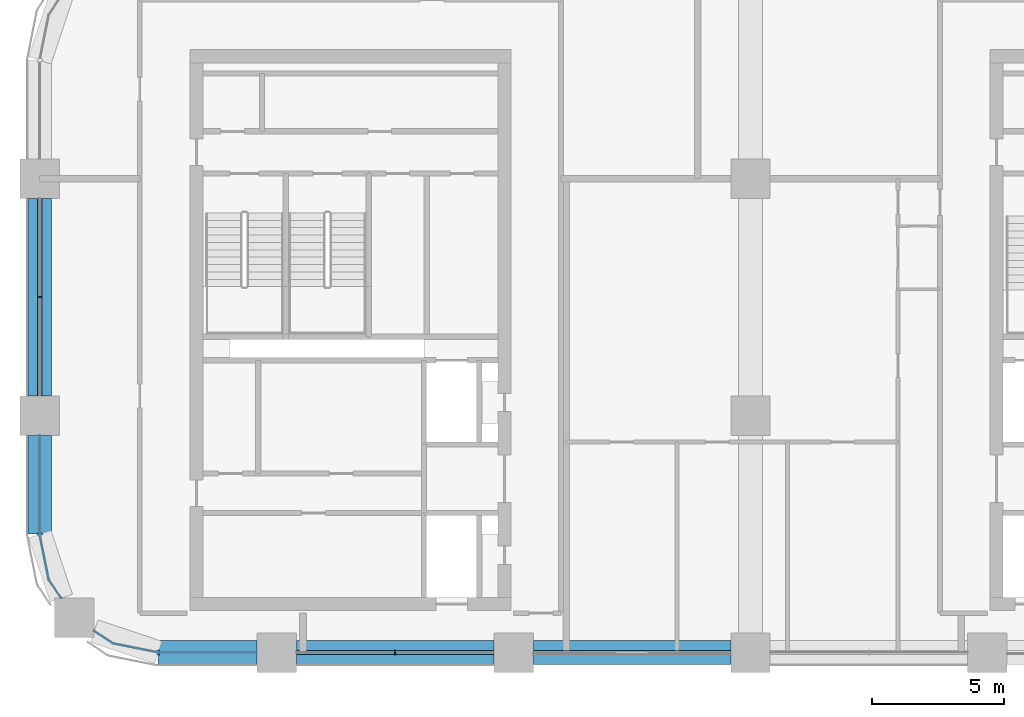
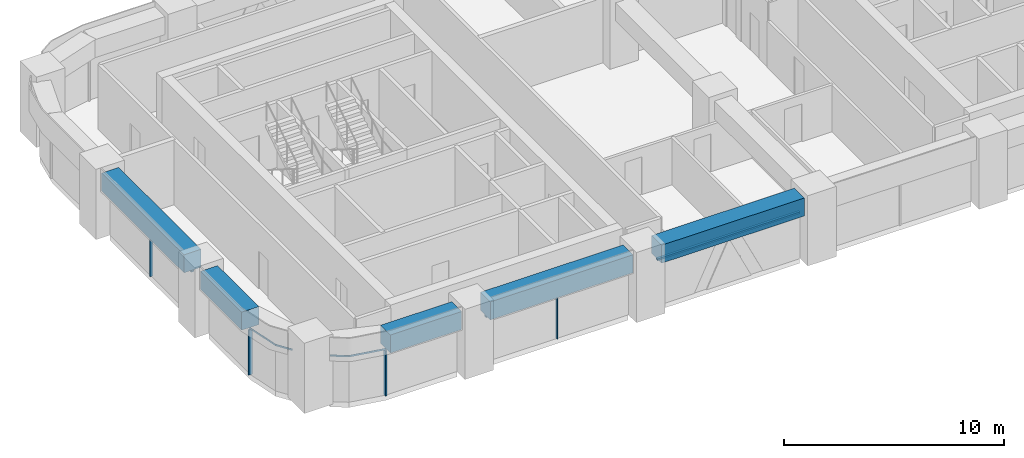
# One storey, part 2 of 19: 9 members, 5 beams, 5 elements without a shape of their own.
"""IFC4 building model written with IfcOpenShell, lengths in metres."""

from ifc_helpers import new_model, si_unit, direction, frame, origin, origin_2d, place, context, subcontext, project, spatial, polyline, rectangle, outline, extrude, material, material_profile, profile_set, type_object, element, aggregate, save


model = new_model("IFC4")

# Units and contexts
model_context = context("Model", 3, precision=1e-05, world=origin(), true_north=direction((0.0, 1.0)))
body_context = subcontext(model_context, "Body", "Model", "MODEL_VIEW")
ifc_project = project(units=[si_unit("LENGTHUNIT", "METRE"), si_unit("AREAUNIT", "SQUARE_METRE"), si_unit("VOLUMEUNIT", "CUBIC_METRE"), si_unit("PLANEANGLEUNIT", "RADIAN"), si_unit("MASSUNIT", "GRAM", prefix="KILO")], contexts=[model_context])

# Site, building, storey
site_placement = place(None, origin())
site = spatial("IfcSite", under=ifc_project, at=site_placement, CompositionType="ELEMENT")
building_placement = place(site_placement, origin())
building = spatial("IfcBuilding", under=site, at=building_placement, Name="Tessera Arch", CompositionType="ELEMENT")
storey_placement = place(building_placement, frame((0.0, 0.0, 170.0)))
storey = spatial("IfcBuildingStorey", under=building, at=storey_placement, Name="L40", CompositionType="ELEMENT", Elevation=170.0)

# Curtain wall, member
ifc_material_1 = material(Name="CW1 curtain wall")
curtain_wall_type_1 = type_object("IfcCurtainWallType", Name="CW1 curtain wall", PredefinedType="NOTDEFINED", material=ifc_material_1)
curtain_wall_1_placement = place(storey_placement, origin())
curtain_wall_1 = element("IfcCurtainWall", 1, at=curtain_wall_1_placement, inside=storey, type_object=curtain_wall_type_1, Name="CW1 curtain wall W0.27/1 L40", PredefinedType="NOTDEFINED")
ifc_material_2 = material(Name="Anodised aluminium pale metal", Category="aluminium")
ifc_material_profile_1 = material_profile(ifc_material_2, rectangle(XDim=0.159912109375, YDim=0.06005859375, at=origin_2d()), Name="AL 60x160")
ifc_profile_set_1 = profile_set([ifc_material_profile_1], Name="Anodised aluminium pale metal")
member_type_1 = type_object("IfcMemberType", Name="CW1 mullion", PredefinedType="MULLION", material=ifc_profile_set_1)
member_1_placement = place(storey_placement, frame((0.0, 40.5, 0.0), z_axis=(0.0, 0.0, 1.0), x_axis=(1.0, 0.0, 0.0)))
member_1 = element("IfcMember", 2, at=member_1_placement, type_object=member_type_1, Name="CW1 mullion W0.27/1 1", PredefinedType="MULLION", context=body_context, shape_type="SweptSolid", body=[
    extrude(rectangle(XDim=0.159912109375, YDim=0.06005859375, at=origin_2d()), origin(), (0.0, 0.0, 1.0), 2.5),
])

curtain_wall_2_placement = place(storey_placement, origin())
curtain_wall_2 = element("IfcCurtainWall", 3, at=curtain_wall_2_placement, inside=storey, type_object=curtain_wall_type_1, Name="CW1 curtain wall S27.0/1 L40", PredefinedType="NOTDEFINED")
member_2_placement = place(storey_placement, frame((13.5, 27.0, 0.0), z_axis=(0.0, 0.0, 1.0), x_axis=(0.0, 1.0, 0.0)))
member_2 = element("IfcMember", 4, at=member_2_placement, type_object=member_type_1, Name="CW1 mullion S27.0/1 1", PredefinedType="MULLION", context=body_context, shape_type="SweptSolid", body=[
    extrude(rectangle(XDim=0.159912109375, YDim=0.06005859375, at=origin_2d()), origin(), (0.0, 0.0, 1.0), 2.5),
])

# Member
ifc_material_3 = material(Name="Anodised aluminium pale metal", Category="aluminium")
ifc_material_profile_2 = material_profile(ifc_material_3, rectangle(XDim=0.159912109375, YDim=0.10009765625, at=origin_2d()), Name="AL 160x100")
ifc_profile_set_2 = profile_set([ifc_material_profile_2], Name="Anodised aluminium pale metal")
member_type_2 = type_object("IfcMemberType", Name="CW1 transom", PredefinedType="USERDEFINED", material=ifc_profile_set_2)
member_3_placement = place(storey_placement, frame((0.0, 44.25, 2.550048828125), z_axis=(0.0, -1.0, 0.0), x_axis=(1.0, 0.0, 0.0)))
member_3 = element("IfcMember", 5, at=member_3_placement, type_object=member_type_2, Name="CW1 transom W0.27/1 1.1", ObjectType="TRANSOM", PredefinedType="USERDEFINED", context=body_context, shape_type="SweptSolid", body=[
    extrude(rectangle(XDim=0.159912109375, YDim=0.10009765625, at=origin_2d()), origin(), (0.0, 0.0, 1.0), 7.5),
])

aggregate(curtain_wall_1, [member_1, member_3])

member_4_placement = place(storey_placement, frame((9.75, 27.0, 2.550048828125), z_axis=(1.0, 0.0, 0.0), x_axis=(0.0, 1.0, 0.0)))
member_4 = element("IfcMember", 6, at=member_4_placement, type_object=member_type_2, Name="CW1 transom S27.0/1 1.1", ObjectType="TRANSOM", PredefinedType="USERDEFINED", context=body_context, shape_type="SweptSolid", body=[
    extrude(rectangle(XDim=0.159912109375, YDim=0.10009765625, at=origin_2d()), origin(), (0.0, 0.0, 1.0), 7.5),
])

aggregate(curtain_wall_2, [member_2, member_4])

# Curtain wall, member
ifc_material_4 = material(Name="CW2 curtain wall")
curtain_wall_type_2 = type_object("IfcCurtainWallType", Name="CW2 curtain wall", PredefinedType="NOTDEFINED", material=ifc_material_4)
curtain_wall_3_placement = place(storey_placement, origin())
curtain_wall_3 = element("IfcCurtainWall", 7, at=curtain_wall_3_placement, inside=storey, type_object=curtain_wall_type_2, Name="CW2 curtain wall W0.27/2 L40", PredefinedType="NOTDEFINED")
ifc_material_5 = material(Name="Anodised aluminium pale metal", Category="aluminium")
ifc_material_profile_3 = material_profile(ifc_material_5, rectangle(XDim=0.199951171875, YDim=0.080078125, at=origin_2d()), Name="AL 80x200")
ifc_profile_set_3 = profile_set([ifc_material_profile_3], Name="Anodised aluminium pale metal")
member_type_3 = type_object("IfcMemberType", Name="CW2 mullion", PredefinedType="MULLION", material=ifc_profile_set_3)
member_5_placement = place(storey_placement, frame((0.0, 31.5, 0.0), z_axis=(0.0, 0.0, 1.0), x_axis=(1.0, 0.0, 0.0)))
member_5 = element("IfcMember", 8, at=member_5_placement, type_object=member_type_3, Name="CW2 mullion W0.27/2 1", PredefinedType="MULLION", context=body_context, shape_type="SweptSolid", body=[
    extrude(rectangle(XDim=0.199951171875, YDim=0.080078125, at=origin_2d()), origin(), (0.0, 0.0, 1.0), 2.5),
])

curtain_wall_4_placement = place(storey_placement, origin())
curtain_wall_4 = element("IfcCurtainWall", 9, at=curtain_wall_4_placement, inside=storey, type_object=curtain_wall_type_2, Name="CW2 curtain wall S27.0/0 L40", PredefinedType="NOTDEFINED")
member_6_placement = place(storey_placement, frame((4.5, 27.0, 0.0), z_axis=(0.0, 0.0, 1.0), x_axis=(0.0, 1.0, 0.0)))
member_6 = element("IfcMember", 10, at=member_6_placement, type_object=member_type_3, Name="CW2 mullion S27.0/0 1", PredefinedType="MULLION", context=body_context, shape_type="SweptSolid", body=[
    extrude(rectangle(XDim=0.199951171875, YDim=0.080078125, at=origin_2d()), origin(), (0.0, 0.0, 1.0), 2.5),
])

# Member
ifc_material_6 = material(Name="Anodised aluminium pale metal", Category="aluminium")
ifc_material_profile_4 = material_profile(ifc_material_6, rectangle(XDim=0.199951171875, YDim=0.10009765625, at=origin_2d()), Name="AL 200x100")
ifc_profile_set_4 = profile_set([ifc_material_profile_4], Name="Anodised aluminium pale metal")
member_type_4 = type_object("IfcMemberType", Name="CW2 transom", PredefinedType="USERDEFINED", material=ifc_profile_set_4)
member_7_placement = place(storey_placement, frame((0.0, 0.0, 2.5)))
member_7 = element("IfcMember", 11, at=member_7_placement, type_object=member_type_4, Name="CW2 transom W0.27/2 1", ObjectType="TRANSOM", PredefinedType="USERDEFINED", context=body_context, shape_type="SweptSolid", body=[
    extrude(outline(polyline([(0.010009765625, 31.5009765625), (0.010009765625, 35.25), (-0.010009765625, 35.25), (-0.010009765625, 31.4990234375), (0.3330078125, 29.77392578125), (0.80859375, 29.0625), (0.8251953125, 29.073486328125), (0.351806640625, 29.78173828125), (0.010009765625, 31.5009765625)])), origin(), (0.0, 0.0, 1.0), 0.10009765625),
])

aggregate(curtain_wall_3, [member_5, member_7])

member_8_placement = place(storey_placement, frame((0.0, 0.0, 2.5)))
member_8 = element("IfcMember", 12, at=member_8_placement, type_object=member_type_4, Name="CW2 transom S27.0/0 1", ObjectType="TRANSOM", PredefinedType="USERDEFINED", context=body_context, shape_type="SweptSolid", body=[
    extrude(outline(polyline([(2.78173828125, 27.351806640625), (2.073486328125, 27.8251953125), (2.0625, 27.80859375), (2.77392578125, 27.3330078125), (4.4990234375, 26.989990234375), (8.25, 26.989990234375), (8.25, 27.010009765625), (4.5009765625, 27.010009765625), (2.78173828125, 27.351806640625)])), origin(), (0.0, 0.0, 1.0), 0.10009765625),
])

aggregate(curtain_wall_4, [member_6, member_8])

# Curtain wall, member
ifc_material_7 = material(Name="CW3 curtain wall")
curtain_wall_type_3 = type_object("IfcCurtainWallType", Name="CW3 curtain wall", PredefinedType="NOTDEFINED", material=ifc_material_7)
curtain_wall_5_placement = place(storey_placement, origin())
curtain_wall_5 = element("IfcCurtainWall", 13, at=curtain_wall_5_placement, inside=storey, type_object=curtain_wall_type_3, Name="CW3 curtain wall S27.0/2 L40", PredefinedType="NOTDEFINED")
ifc_material_8 = material(Name="Anodised aluminium pale metal", Category="aluminium")
ifc_material_profile_5 = material_profile(ifc_material_8, rectangle(XDim=0.139892578125, YDim=0.10009765625, at=origin_2d()), Name="AL 140x100")
ifc_profile_set_5 = profile_set([ifc_material_profile_5], Name="Anodised aluminium pale metal")
member_type_5 = type_object("IfcMemberType", Name="CW3 transom", PredefinedType="USERDEFINED", material=ifc_profile_set_5)
member_9_placement = place(storey_placement, frame((18.75, 27.0, 2.550048828125), z_axis=(1.0, 0.0, 0.0), x_axis=(0.0, 1.0, 0.0)))
member_9 = element("IfcMember", 14, at=member_9_placement, type_object=member_type_5, Name="CW3 transom S27.0/2 1.1", ObjectType="TRANSOM", PredefinedType="USERDEFINED", context=body_context, shape_type="SweptSolid", body=[
    extrude(rectangle(XDim=0.139892578125, YDim=0.10009765625, at=origin_2d()), origin(), (0.0, 0.0, 1.0), 7.5),
])
aggregate(curtain_wall_5, [member_9])

# Beams
ifc_material_9 = material(Name="Concrete C70/85", Category="concrete")
ifc_material_profile_6 = material_profile(ifc_material_9, rectangle(XDim=0.89990234375, YDim=1.0, at=origin_2d()), Name="RC spandrel beam 900 x 1000 Concrete C70/85")
ifc_profile_set_6 = profile_set([ifc_material_profile_6], Name="Concrete C70/85")
beam_type = type_object("IfcBeamType", Name="RC spandrel beam 900 x 1000 Concrete C70/85", PredefinedType="BEAM", material=ifc_profile_set_6)
beam_placement = place(storey_placement, frame((0.0, 44.25, 3.10009765625), z_axis=(0.0, -1.0, 0.0), x_axis=(1.0, 0.0, 0.0)))
element("IfcBeam", 15, at=beam_placement, inside=storey, type_object=beam_type, Name="Spandrel beam L40 W0.27/1", PredefinedType="BEAM", context=body_context, shape_type="SweptSolid", body=[
    extrude(rectangle(XDim=0.89990234375, YDim=1.0, at=origin_2d()), origin(), (0.0, 0.0, 1.0), 7.5),
])
for number, where, z_axis, x_axis, name in (
    (16, (0.0, 35.25, 3.10009765625), (0.0, -1.0, 0.0), (1.0, 0.0, 0.0), "Spandrel beam L40 W0.27/2.1"),
    (17, (4.5, 27.0, 3.10009765625), (1.0, 0.0, 0.0), (0.0, 1.0, 0.0), "Spandrel beam L40 S27.0/0.2"),
):
    element("IfcBeam", number, at=place(storey_placement, frame(where, z_axis=z_axis, x_axis=x_axis)), inside=storey, type_object=beam_type, Name=name, PredefinedType="BEAM", context=body_context, shape_type="SweptSolid", body=[
        extrude(rectangle(XDim=0.89990234375, YDim=1.0, at=origin_2d()), origin(), (0.0, 0.0, 1.0), 3.75),
    ])
for number, where, z_axis, x_axis, name in (
    (18, (9.75, 27.0, 3.10009765625), (1.0, 0.0, 0.0), (0.0, 1.0, 0.0), "Spandrel beam L40 S27.0/1"),
    (19, (18.75, 27.0, 3.10009765625), (1.0, 0.0, 0.0), (0.0, 1.0, 0.0), "Spandrel beam L40 S27.0/2"),
):
    element("IfcBeam", number, at=place(storey_placement, frame(where, z_axis=z_axis, x_axis=x_axis)), inside=storey, type_object=beam_type, Name=name, PredefinedType="BEAM", context=body_context, shape_type="SweptSolid", body=[
        extrude(rectangle(XDim=0.89990234375, YDim=1.0, at=origin_2d()), origin(), (0.0, 0.0, 1.0), 7.5),
    ])

save(model, "model.ifc")
